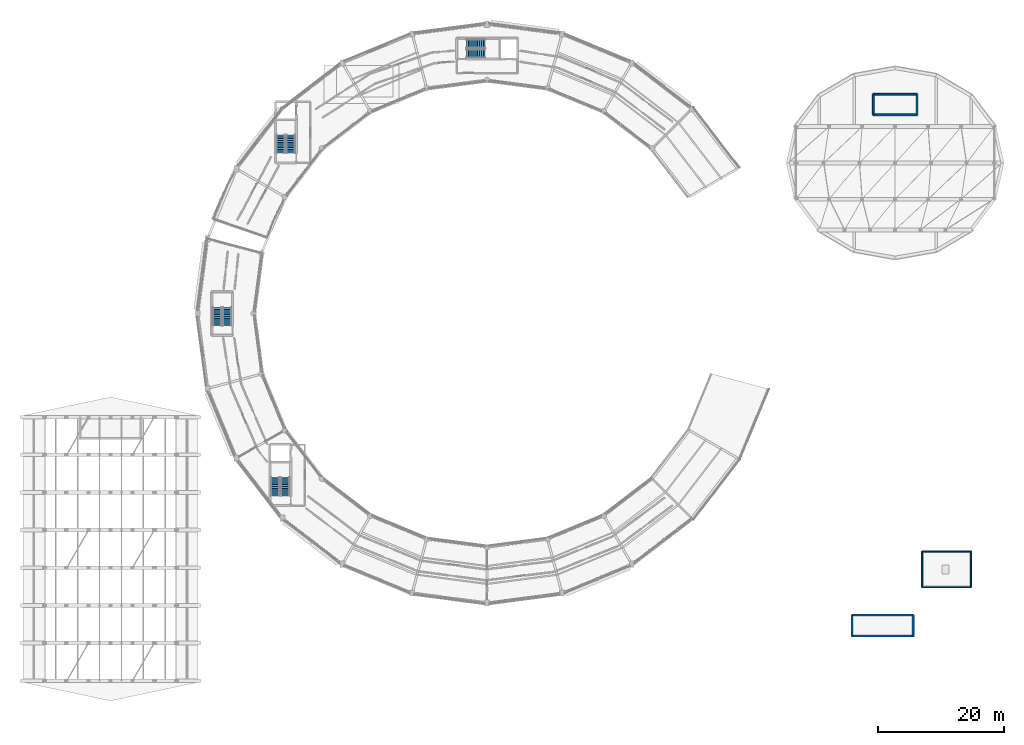
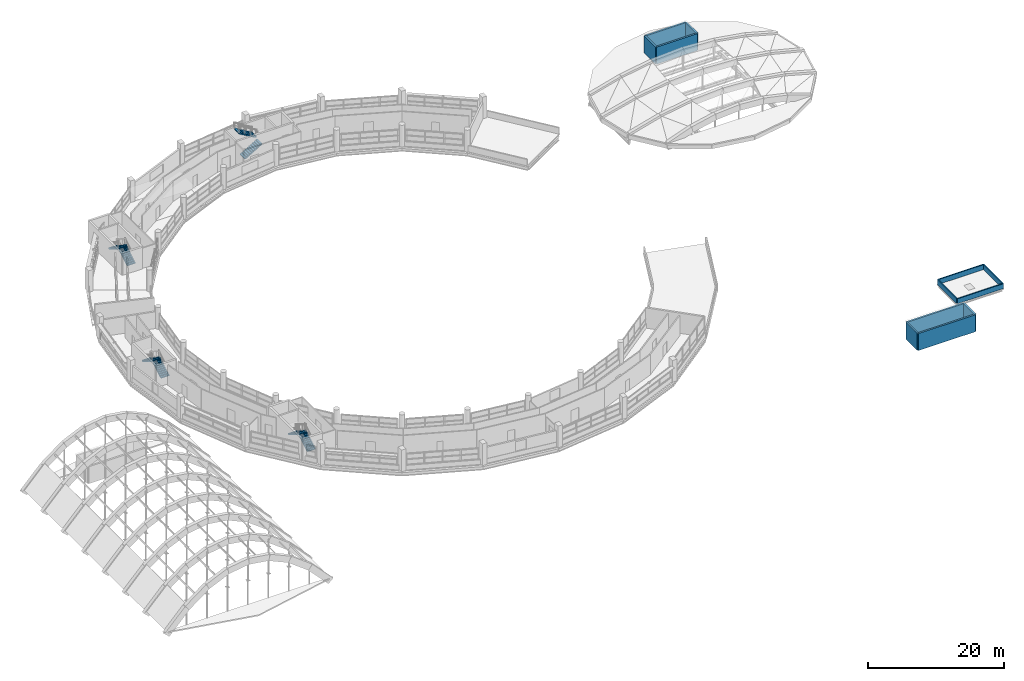
# One storey, part 79 of 88: 12 walls, 8 stair flights, 4 elements without a shape of their own.
"""IFC4 building model written with IfcOpenShell, lengths in metres."""

from ifc_helpers import new_model, si_unit, direction, frame, frame_2d, origin, place, context, subcontext, project, spatial, polyline, rectangle, outline, extrude, material, layer, layer_set, type_object, element, aggregate, save


model = new_model("IFC4")

# Units and contexts
model_context = context("Model", 3, precision=1e-05, world=origin(), true_north=direction((0.0, 1.0)))
body_context = subcontext(model_context, "Body", "Model", "MODEL_VIEW")
ifc_project = project(units=[si_unit("LENGTHUNIT", "METRE"), si_unit("AREAUNIT", "SQUARE_METRE"), si_unit("VOLUMEUNIT", "CUBIC_METRE"), si_unit("PLANEANGLEUNIT", "RADIAN"), si_unit("MASSUNIT", "GRAM", prefix="KILO")], contexts=[model_context])

# Site, building, storey
site_placement = place(None, origin())
site = spatial("IfcSite", under=ifc_project, at=site_placement, CompositionType="ELEMENT")
building_placement = place(site_placement, origin())
building = spatial("IfcBuilding", under=site, at=building_placement, Name="Vespera Passage Community Centre", CompositionType="ELEMENT")
storey_placement = place(building_placement, frame((0.0, 0.0, 16.5)))
storey = spatial("IfcBuildingStorey", under=building, at=storey_placement, Name="L04", CompositionType="ELEMENT", Elevation=16.5)

# Walls
ifc_material_1 = material(Name="Concrete f'c 45 MPa", Category="concrete")
ifc_layer_1 = layer(ifc_material_1, 0.2900390625)
ifc_layer_set_1 = layer_set([ifc_layer_1], Name="Concrete f'c 45 MPa")
wall_type_1 = type_object("IfcWallType", Name="WT-OVERRUN-290E", PredefinedType="SHEAR", material=ifc_layer_set_1)
wall_1_placement = place(storey_placement, frame((139.52490234375, 97.14990234375, 0.0), z_axis=(0.0, 0.0, 1.0), x_axis=(1.0, 0.0, 0.0)))
element("IfcWall", 1, at=wall_1_placement, inside=storey, type_object=wall_type_1, Name="Core C6 Overrun Enclosure Wall 1", PredefinedType="SHEAR", context=body_context, shape_type="SweptSolid", body=[
    extrude(rectangle(XDim=6.9501953125, YDim=0.2900390625, at=frame_2d((3.47509765625, 0.0))), origin(), (0.0, 0.0, 1.0), 3.050048828125),
])
wall_2_placement = place(storey_placement, frame((146.47509765625, 97.14990234375, 0.0), z_axis=(0.0, 0.0, 1.0), x_axis=(0.0, 1.0, 0.0)))
element("IfcWall", 2, at=wall_2_placement, inside=storey, type_object=wall_type_1, Name="Core C6 Overrun Enclosure Wall 2", PredefinedType="SHEAR", context=body_context, shape_type="SweptSolid", body=[
    extrude(rectangle(XDim=3.300048828125, YDim=0.2900390625, at=frame_2d((1.64990234375, 0.0))), origin(), (0.0, 0.0, 1.0), 3.050048828125),
])
wall_3_placement = place(storey_placement, frame((146.47509765625, 100.449951171875, 0.0), z_axis=(0.0, 0.0, 1.0), x_axis=(-1.0, 0.0, 0.0)))
element("IfcWall", 3, at=wall_3_placement, inside=storey, type_object=wall_type_1, Name="Core C6 Overrun Enclosure Wall 3", PredefinedType="SHEAR", context=body_context, shape_type="SweptSolid", body=[
    extrude(rectangle(XDim=6.9501953125, YDim=0.2900390625, at=frame_2d((3.47509765625, 0.0))), origin(), (0.0, 0.0, 1.0), 3.050048828125),
])
wall_4_placement = place(storey_placement, frame((139.52490234375, 100.449951171875, 0.0), z_axis=(0.0, 0.0, 1.0), x_axis=(0.0, -1.0, 0.0)))
element("IfcWall", 4, at=wall_4_placement, inside=storey, type_object=wall_type_1, Name="Core C6 Overrun Enclosure Wall 4", PredefinedType="SHEAR", context=body_context, shape_type="SweptSolid", body=[
    extrude(rectangle(XDim=3.300048828125, YDim=0.2900390625, at=frame_2d((1.64990234375, 0.0))), origin(), (0.0, 0.0, 1.0), 3.050048828125),
])
wall_5_placement = place(storey_placement, frame((145.864990234375, 17.469970703125, 0.0), z_axis=(0.0, 0.0, 1.0), x_axis=(-1.0, 0.0, 0.0)))
element("IfcWall", 5, at=wall_5_placement, inside=storey, type_object=wall_type_1, Name="Core C7 Overrun Enclosure Wall 1", PredefinedType="SHEAR", context=body_context, shape_type="SweptSolid", body=[
    extrude(rectangle(XDim=9.72998046875, YDim=0.2900390625, at=frame_2d((4.864990234375, 0.0))), origin(), (0.0, 0.0, 1.0), 3.050048828125),
])
wall_6_placement = place(storey_placement, frame((136.135009765625, 17.469970703125, 0.0), z_axis=(0.0, 0.0, 1.0), x_axis=(0.0, -1.0, 0.0)))
element("IfcWall", 6, at=wall_6_placement, inside=storey, type_object=wall_type_1, Name="Core C7 Overrun Enclosure Wall 2", PredefinedType="SHEAR", context=body_context, shape_type="SweptSolid", body=[
    extrude(rectangle(XDim=3.340087890625, YDim=0.2900390625, at=frame_2d((1.669921875, 0.0))), origin(), (0.0, 0.0, 1.0), 3.050048828125),
])
wall_7_placement = place(storey_placement, frame((136.135009765625, 14.1298828125, 0.0), z_axis=(0.0, 0.0, 1.0), x_axis=(1.0, 0.0, 0.0)))
element("IfcWall", 7, at=wall_7_placement, inside=storey, type_object=wall_type_1, Name="Core C7 Overrun Enclosure Wall 3", PredefinedType="SHEAR", context=body_context, shape_type="SweptSolid", body=[
    extrude(rectangle(XDim=9.72998046875, YDim=0.2900390625, at=frame_2d((4.864990234375, 0.0))), origin(), (0.0, 0.0, 1.0), 3.050048828125),
])
wall_8_placement = place(storey_placement, frame((145.864990234375, 14.1298828125, 0.0), z_axis=(0.0, 0.0, 1.0), x_axis=(0.0, 1.0, 0.0)))
element("IfcWall", 8, at=wall_8_placement, inside=storey, type_object=wall_type_1, Name="Core C7 Overrun Enclosure Wall 4", PredefinedType="SHEAR", context=body_context, shape_type="SweptSolid", body=[
    extrude(rectangle(XDim=3.340087890625, YDim=0.2900390625, at=frame_2d((1.669921875, 0.0))), origin(), (0.0, 0.0, 1.0), 3.050048828125),
])
ifc_material_2 = material(Name="Precast concrete f'c 40 MPa", Category="concrete")
ifc_layer_2 = layer(ifc_material_2, 0.199951171875)
ifc_layer_set_2 = layer_set([ifc_layer_2], Name="Precast concrete f'c 40 MPa")
wall_type_2 = type_object("IfcWallType", Name="WT-PAR-200E", PredefinedType="PARAPET", material=ifc_layer_set_2)
wall_9_placement = place(storey_placement, frame((147.300048828125, 21.89990234375, -0.22998046875), z_axis=(0.0, 0.0, 1.0), x_axis=(1.0, 0.0, 0.0)))
element("IfcWall", 9, at=wall_9_placement, inside=storey, type_object=wall_type_2, Name="Conservatory Roof Parapet 1", PredefinedType="PARAPET", context=body_context, shape_type="SweptSolid", body=[
    extrude(rectangle(XDim=7.800048828125, YDim=0.199951171875, at=frame_2d((3.89990234375, 0.0))), origin(), (0.0, 0.0, 1.0), 0.8798828125),
])
wall_10_placement = place(storey_placement, frame((155.10009765625, 21.89990234375, -0.22998046875), z_axis=(0.0, 0.0, 1.0), x_axis=(0.0, 1.0, 0.0)))
element("IfcWall", 10, at=wall_10_placement, inside=storey, type_object=wall_type_2, Name="Conservatory Roof Parapet 2", PredefinedType="PARAPET", context=body_context, shape_type="SweptSolid", body=[
    extrude(rectangle(XDim=5.7001953125, YDim=0.199951171875, at=frame_2d((2.85009765625, 0.0))), origin(), (0.0, 0.0, 1.0), 0.8798828125),
])
wall_11_placement = place(storey_placement, frame((155.10009765625, 27.60009765625, -0.22998046875), z_axis=(0.0, 0.0, 1.0), x_axis=(-1.0, 0.0, 0.0)))
element("IfcWall", 11, at=wall_11_placement, inside=storey, type_object=wall_type_2, Name="Conservatory Roof Parapet 3", PredefinedType="PARAPET", context=body_context, shape_type="SweptSolid", body=[
    extrude(rectangle(XDim=7.800048828125, YDim=0.199951171875, at=frame_2d((3.89990234375, 0.0))), origin(), (0.0, 0.0, 1.0), 0.8798828125),
])
wall_12_placement = place(storey_placement, frame((147.300048828125, 27.60009765625, -0.22998046875), z_axis=(0.0, 0.0, 1.0), x_axis=(0.0, -1.0, 0.0)))
element("IfcWall", 12, at=wall_12_placement, inside=storey, type_object=wall_type_2, Name="Conservatory Roof Parapet 4", PredefinedType="PARAPET", context=body_context, shape_type="SweptSolid", body=[
    extrude(rectangle(XDim=5.7001953125, YDim=0.199951171875, at=frame_2d((2.85009765625, 0.0))), origin(), (0.0, 0.0, 1.0), 0.8798828125),
])

# Stair, stair flights
ifc_material_3 = material(Name="Concrete f'c 35 MPa", Category="concrete")
stair_type_1 = type_object("IfcStairType", Name="ST-T03", PredefinedType="HALF_TURN_STAIR", material=ifc_material_3)
stair_1_placement = place(storey_placement, origin())
stair_1 = element("IfcStair", 13, at=stair_1_placement, inside=storey, type_object=stair_type_1, Name="L04 Core C1 Exit Stair ST03", PredefinedType="HALF_TURN_STAIR")
ifc_material_4 = material(Name="Concrete f'c 35 MPa", Category="concrete")
stair_flight_type_1 = type_object("IfcStairFlightType", Name="STF-T03", PredefinedType="STRAIGHT", material=ifc_material_4)
stair_flight_1_placement = place(storey_placement, frame((46.73291015625, 91.077880859375, 0.0), z_axis=(0.0, 0.0, 1.0), x_axis=(0.0, 1.0, 0.0)))
stair_flight_1 = element("IfcStairFlight", 14, at=stair_flight_1_placement, type_object=stair_flight_type_1, Name="ST03 flight 1", NumberOfRisers=11, NumberOfTreads=10, PredefinedType="STRAIGHT", RiserHeight=0.177272727, TreadLength=0.285, context=body_context, shape_type="SweptSolid", body=[
    extrude(outline(polyline([(0.0, 0.0), (0.0, 0.17724609375), (0.284912109375, 0.17724609375), (0.284912109375, 0.3544921875), (0.570068359375, 0.3544921875), (0.570068359375, 0.53173828125), (0.85498046875, 0.53173828125), (0.85498046875, 0.708984375), (1.139892578125, 0.708984375), (1.139892578125, 0.886474609375), (1.425048828125, 0.886474609375), (1.425048828125, 1.063720703125), (1.7099609375, 1.063720703125), (1.7099609375, 1.240966796875), (1.9951171875, 1.240966796875), (1.9951171875, 1.418212890625), (2.280029296875, 1.418212890625), (2.280029296875, 1.595458984375), (2.56494140625, 1.595458984375), (2.56494140625, 1.772705078125), (2.85009765625, 1.772705078125), (2.85009765625, 1.949951171875), (2.85009765625, 1.59619140625), (0.283935546875, 0.0), (0.0, 0.0)])), frame((0.0, 0.699951171875, 0.0), z_axis=(0.0, -1.0, 0.0), x_axis=(1.0, 0.0, 0.0)), (0.0, 0.0, 1.0), 1.39990234375),
])
stair_flight_2_placement = place(storey_placement, frame((45.133056640625, 93.927978515625, 1.949951171875), z_axis=(0.0, 0.0, 1.0), x_axis=(0.0, -1.0, 0.0)))
stair_flight_2 = element("IfcStairFlight", 15, at=stair_flight_2_placement, type_object=stair_flight_type_1, Name="ST03 flight 2", NumberOfRisers=11, NumberOfTreads=10, PredefinedType="STRAIGHT", RiserHeight=0.177272727, TreadLength=0.285, context=body_context, shape_type="SweptSolid", body=[
    extrude(outline(polyline([(0.0, 0.0), (0.0, 0.17724609375), (0.284912109375, 0.17724609375), (0.284912109375, 0.3544921875), (0.570068359375, 0.3544921875), (0.570068359375, 0.53173828125), (0.85498046875, 0.53173828125), (0.85498046875, 0.708984375), (1.139892578125, 0.708984375), (1.139892578125, 0.886474609375), (1.425048828125, 0.886474609375), (1.425048828125, 1.063720703125), (1.7099609375, 1.063720703125), (1.7099609375, 1.240966796875), (1.9951171875, 1.240966796875), (1.9951171875, 1.418212890625), (2.280029296875, 1.418212890625), (2.280029296875, 1.595458984375), (2.56494140625, 1.595458984375), (2.56494140625, 1.772705078125), (2.85009765625, 1.772705078125), (2.85009765625, 1.949951171875), (2.85009765625, 1.59619140625), (0.283935546875, 0.0), (0.0, 0.0)])), frame((0.0, 0.699951171875, 0.0), z_axis=(0.0, -1.0, 0.0), x_axis=(1.0, 0.0, 0.0)), (0.0, 0.0, 1.0), 1.39990234375),
])
aggregate(stair_1, [stair_flight_1, stair_flight_2])

ifc_material_5 = material(Name="Concrete f'c 35 MPa", Category="concrete")
stair_type_2 = type_object("IfcStairType", Name="ST-T06", PredefinedType="HALF_TURN_STAIR", material=ifc_material_5)
stair_2_placement = place(storey_placement, origin())
stair_2 = element("IfcStair", 16, at=stair_2_placement, inside=storey, type_object=stair_type_2, Name="L04 Core C2 Exit Stair ST04", PredefinedType="HALF_TURN_STAIR")
ifc_material_6 = material(Name="Concrete f'c 35 MPa", Category="concrete")
stair_flight_type_2 = type_object("IfcStairFlightType", Name="STF-T06", PredefinedType="STRAIGHT", material=ifc_material_6)
stair_flight_3_placement = place(storey_placement, frame((36.60009765625, 63.574951171875, 0.0), z_axis=(0.0, 0.0, 1.0), x_axis=(0.0, 1.0, 0.0)))
stair_flight_3 = element("IfcStairFlight", 17, at=stair_flight_3_placement, type_object=stair_flight_type_2, Name="ST04 flight 1", NumberOfRisers=11, NumberOfTreads=10, PredefinedType="STRAIGHT", RiserHeight=0.177272727, TreadLength=0.29, context=body_context, shape_type="SweptSolid", body=[
    extrude(outline(polyline([(0.0, 0.0), (0.0, 0.17724609375), (0.2900390625, 0.17724609375), (0.2900390625, 0.3544921875), (0.580078125, 0.3544921875), (0.580078125, 0.53173828125), (0.8701171875, 0.53173828125), (0.8701171875, 0.708984375), (1.159912109375, 0.708984375), (1.159912109375, 0.886474609375), (1.449951171875, 0.886474609375), (1.449951171875, 1.063720703125), (1.739990234375, 1.063720703125), (1.739990234375, 1.240966796875), (2.030029296875, 1.240966796875), (2.030029296875, 1.418212890625), (2.320068359375, 1.418212890625), (2.320068359375, 1.595458984375), (2.610107421875, 1.595458984375), (2.610107421875, 1.772705078125), (2.89990234375, 1.772705078125), (2.89990234375, 1.949951171875), (2.89990234375, 1.596923828125), (0.287353515625, 0.0), (0.0, 0.0)])), frame((0.0, 0.699951171875, 0.0), z_axis=(0.0, -1.0, 0.0), x_axis=(1.0, 0.0, 0.0)), (0.0, 0.0, 1.0), 1.39990234375),
])
stair_flight_4_placement = place(storey_placement, frame((35.0, 66.47509765625, 1.949951171875), z_axis=(0.0, 0.0, 1.0), x_axis=(0.0, -1.0, 0.0)))
stair_flight_4 = element("IfcStairFlight", 18, at=stair_flight_4_placement, type_object=stair_flight_type_2, Name="ST04 flight 2", NumberOfRisers=11, NumberOfTreads=10, PredefinedType="STRAIGHT", RiserHeight=0.177272727, TreadLength=0.29, context=body_context, shape_type="SweptSolid", body=[
    extrude(outline(polyline([(0.0, 0.0), (0.0, 0.17724609375), (0.2900390625, 0.17724609375), (0.2900390625, 0.3544921875), (0.580078125, 0.3544921875), (0.580078125, 0.53173828125), (0.8701171875, 0.53173828125), (0.8701171875, 0.708984375), (1.159912109375, 0.708984375), (1.159912109375, 0.886474609375), (1.449951171875, 0.886474609375), (1.449951171875, 1.063720703125), (1.739990234375, 1.063720703125), (1.739990234375, 1.240966796875), (2.030029296875, 1.240966796875), (2.030029296875, 1.418212890625), (2.320068359375, 1.418212890625), (2.320068359375, 1.595458984375), (2.610107421875, 1.595458984375), (2.610107421875, 1.772705078125), (2.89990234375, 1.772705078125), (2.89990234375, 1.949951171875), (2.89990234375, 1.596923828125), (0.287353515625, 0.0), (0.0, 0.0)])), frame((0.0, 0.699951171875, 0.0), z_axis=(0.0, -1.0, 0.0), x_axis=(1.0, 0.0, 0.0)), (0.0, 0.0, 1.0), 1.39990234375),
])
aggregate(stair_2, [stair_flight_3, stair_flight_4])

ifc_material_7 = material(Name="Concrete f'c 35 MPa", Category="concrete")
stair_type_3 = type_object("IfcStairType", Name="ST-T09", PredefinedType="HALF_TURN_STAIR", material=ifc_material_7)
stair_3_placement = place(storey_placement, origin())
stair_3 = element("IfcStair", 19, at=stair_3_placement, inside=storey, type_object=stair_type_3, Name="L04 Core C3 Exit Stair ST05", PredefinedType="HALF_TURN_STAIR")
ifc_material_8 = material(Name="Concrete f'c 35 MPa", Category="concrete")
stair_flight_type_3 = type_object("IfcStairFlightType", Name="STF-T09", PredefinedType="STRAIGHT", material=ifc_material_8)
stair_flight_5_placement = place(storey_placement, frame((45.861083984375, 36.469970703125, 0.0), z_axis=(0.0, 0.0, 1.0), x_axis=(0.0, 1.0, 0.0)))
stair_flight_5 = element("IfcStairFlight", 20, at=stair_flight_5_placement, type_object=stair_flight_type_3, Name="ST05 flight 1", NumberOfRisers=11, NumberOfTreads=10, PredefinedType="STRAIGHT", RiserHeight=0.177272727, TreadLength=0.295, context=body_context, shape_type="SweptSolid", body=[
    extrude(outline(polyline([(0.0, 0.0), (0.0, 0.17724609375), (0.294921875, 0.17724609375), (0.294921875, 0.3544921875), (0.590087890625, 0.3544921875), (0.590087890625, 0.53173828125), (0.885009765625, 0.53173828125), (0.885009765625, 0.708984375), (1.179931640625, 0.708984375), (1.179931640625, 0.886474609375), (1.47509765625, 0.886474609375), (1.47509765625, 1.063720703125), (1.77001953125, 1.063720703125), (1.77001953125, 1.240966796875), (2.06494140625, 1.240966796875), (2.06494140625, 1.418212890625), (2.360107421875, 1.418212890625), (2.360107421875, 1.595458984375), (2.655029296875, 1.595458984375), (2.655029296875, 1.772705078125), (2.949951171875, 1.772705078125), (2.949951171875, 1.949951171875), (2.949951171875, 1.597900390625), (0.291015625, 0.0), (0.0, 0.0)])), frame((0.0, 0.699951171875, 0.0), z_axis=(0.0, -1.0, 0.0), x_axis=(1.0, 0.0, 0.0)), (0.0, 0.0, 1.0), 1.39990234375),
])
stair_flight_6_placement = place(storey_placement, frame((44.260986328125, 39.419921875, 1.949951171875), z_axis=(0.0, 0.0, 1.0), x_axis=(0.0, -1.0, 0.0)))
stair_flight_6 = element("IfcStairFlight", 21, at=stair_flight_6_placement, type_object=stair_flight_type_3, Name="ST05 flight 2", NumberOfRisers=11, NumberOfTreads=10, PredefinedType="STRAIGHT", RiserHeight=0.177272727, TreadLength=0.295, context=body_context, shape_type="SweptSolid", body=[
    extrude(outline(polyline([(0.0, 0.0), (0.0, 0.17724609375), (0.294921875, 0.17724609375), (0.294921875, 0.3544921875), (0.590087890625, 0.3544921875), (0.590087890625, 0.53173828125), (0.885009765625, 0.53173828125), (0.885009765625, 0.708984375), (1.179931640625, 0.708984375), (1.179931640625, 0.886474609375), (1.47509765625, 0.886474609375), (1.47509765625, 1.063720703125), (1.77001953125, 1.063720703125), (1.77001953125, 1.240966796875), (2.06494140625, 1.240966796875), (2.06494140625, 1.418212890625), (2.360107421875, 1.418212890625), (2.360107421875, 1.595458984375), (2.655029296875, 1.595458984375), (2.655029296875, 1.772705078125), (2.949951171875, 1.772705078125), (2.949951171875, 1.949951171875), (2.949951171875, 1.597900390625), (0.291015625, 0.0), (0.0, 0.0)])), frame((0.0, 0.699951171875, 0.0), z_axis=(0.0, -1.0, 0.0), x_axis=(1.0, 0.0, 0.0)), (0.0, 0.0, 1.0), 1.39990234375),
])
aggregate(stair_3, [stair_flight_5, stair_flight_6])

ifc_material_9 = material(Name="Concrete f'c 35 MPa", Category="concrete")
stair_type_4 = type_object("IfcStairType", Name="ST-T12", PredefinedType="HALF_TURN_STAIR", material=ifc_material_9)
stair_4_placement = place(storey_placement, origin())
stair_4 = element("IfcStair", 22, at=stair_4_placement, inside=storey, type_object=stair_type_4, Name="L04 Core C4 Exit Stair ST06", PredefinedType="HALF_TURN_STAIR")
ifc_material_10 = material(Name="Concrete f'c 35 MPa", Category="concrete")
stair_flight_type_4 = type_object("IfcStairFlightType", Name="STF-T12", PredefinedType="STRAIGHT", material=ifc_material_10)
stair_flight_7_placement = place(storey_placement, frame((74.705078125, 106.89990234375, 0.0), z_axis=(0.0, 0.0, 1.0), x_axis=(1.0, 0.0, 0.0)))
stair_flight_7 = element("IfcStairFlight", 23, at=stair_flight_7_placement, type_object=stair_flight_type_4, Name="ST06 flight 1", NumberOfRisers=11, NumberOfTreads=10, PredefinedType="STRAIGHT", RiserHeight=0.177272727, TreadLength=0.3, context=body_context, shape_type="SweptSolid", body=[
    extrude(outline(polyline([(0.0, 0.0), (0.0, 0.17724609375), (0.300048828125, 0.17724609375), (0.300048828125, 0.3544921875), (0.60009765625, 0.3544921875), (0.60009765625, 0.53173828125), (0.89990234375, 0.53173828125), (0.89990234375, 0.708984375), (1.199951171875, 0.708984375), (1.199951171875, 0.886474609375), (1.5, 0.886474609375), (1.5, 1.063720703125), (1.800048828125, 1.063720703125), (1.800048828125, 1.240966796875), (2.10009765625, 1.240966796875), (2.10009765625, 1.418212890625), (2.39990234375, 1.418212890625), (2.39990234375, 1.595458984375), (2.699951171875, 1.595458984375), (2.699951171875, 1.772705078125), (3.0, 1.772705078125), (3.0, 1.949951171875), (3.0, 1.5986328125), (0.294677734375, 0.0), (0.0, 0.0)])), frame((0.0, 0.699951171875, 0.0), z_axis=(0.0, -1.0, 0.0), x_axis=(1.0, 0.0, 0.0)), (0.0, 0.0, 1.0), 1.39990234375),
])
stair_flight_8_placement = place(storey_placement, frame((77.705078125, 108.5, 1.949951171875), z_axis=(0.0, 0.0, 1.0), x_axis=(-1.0, 0.0, 0.0)))
stair_flight_8 = element("IfcStairFlight", 24, at=stair_flight_8_placement, type_object=stair_flight_type_4, Name="ST06 flight 2", NumberOfRisers=11, NumberOfTreads=10, PredefinedType="STRAIGHT", RiserHeight=0.177272727, TreadLength=0.3, context=body_context, shape_type="SweptSolid", body=[
    extrude(outline(polyline([(0.0, 0.0), (0.0, 0.17724609375), (0.300048828125, 0.17724609375), (0.300048828125, 0.3544921875), (0.60009765625, 0.3544921875), (0.60009765625, 0.53173828125), (0.89990234375, 0.53173828125), (0.89990234375, 0.708984375), (1.199951171875, 0.708984375), (1.199951171875, 0.886474609375), (1.5, 0.886474609375), (1.5, 1.063720703125), (1.800048828125, 1.063720703125), (1.800048828125, 1.240966796875), (2.10009765625, 1.240966796875), (2.10009765625, 1.418212890625), (2.39990234375, 1.418212890625), (2.39990234375, 1.595458984375), (2.699951171875, 1.595458984375), (2.699951171875, 1.772705078125), (3.0, 1.772705078125), (3.0, 1.949951171875), (3.0, 1.5986328125), (0.294677734375, 0.0), (0.0, 0.0)])), frame((0.0, 0.699951171875, 0.0), z_axis=(0.0, -1.0, 0.0), x_axis=(1.0, 0.0, 0.0)), (0.0, 0.0, 1.0), 1.39990234375),
])
aggregate(stair_4, [stair_flight_7, stair_flight_8])

save(model, "model.ifc")
